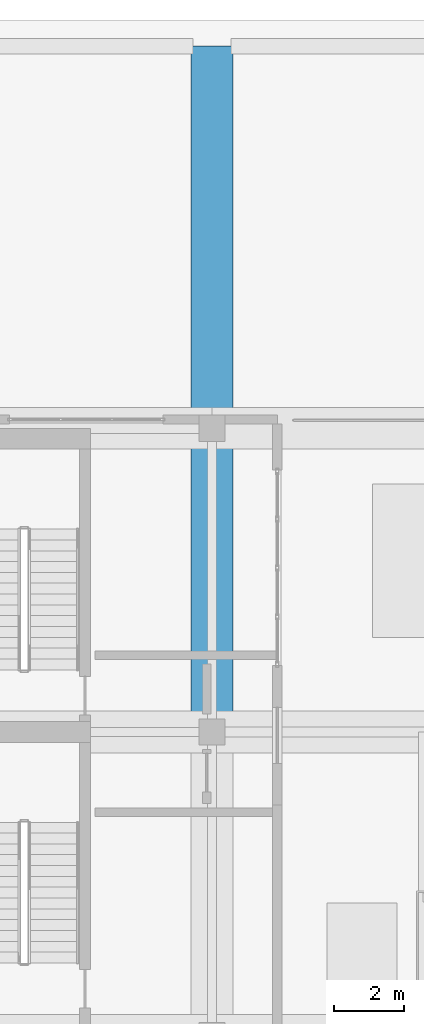
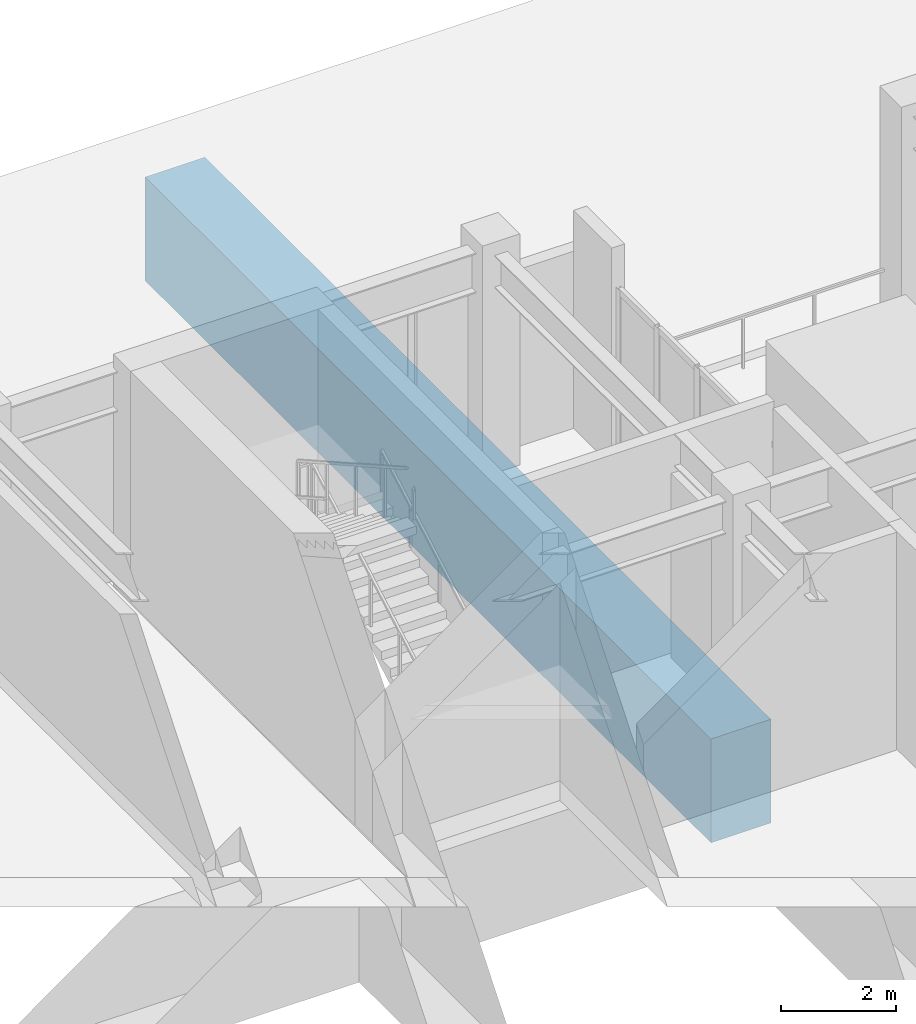
# One storey, part 10 of 16: 1 beam.
"""IFC4 building model written with IfcOpenShell, lengths in metres."""

import ifcopenshell
import ifcopenshell.guid

model = None  # the IFC model being written
_history = None  # IfcOwnerHistory: only IFC2X3 demands one
_inside = {}  # id of a spatial element -> (the spatial element, [elements in it])
_under = {}  # id of a project, library or spatial element -> (it, [spatial elements below it])
_declared = {}  # id of a project -> (the project, [libraries it declares])
_typed = {}  # id of a type object -> (the type object, [elements of that type])
_made_of = {}  # id of a material, layer set ... -> (it, [elements and type objects made of it])


def new_model(schema):
    """Start an empty IFC model of exactly this schema.

    Asked for "IFC4X3", IfcOpenShell would pick the latest addendum, in which some entities
    have other attributes; the version numbers below select the first issue.
    IFC2X3 requires an IfcOwnerHistory on every rooted entity: one is made here for all.
    """
    global model, _history
    if schema == "IFC4X3":
        model = ifcopenshell.file(schema_version=(4, 3, 0, 0))
    else:
        model = ifcopenshell.file(schema=schema)
    _inside.clear()
    _under.clear()
    _declared.clear()
    _typed.clear()
    _made_of.clear()
    _history = None
    if model.schema == "IFC2X3":
        org = make("IfcOrganization", Name="unknown")
        user = make(
            "IfcPersonAndOrganization",
            ThePerson=make("IfcPerson", FamilyName="unknown"),
            TheOrganization=org,
        )
        app = make(
            "IfcApplication",
            ApplicationDeveloper=org,
            Version="unknown",
            ApplicationFullName="unknown",
            ApplicationIdentifier="unknown",
        )
        _history = make(
            "IfcOwnerHistory",
            OwningUser=user,
            OwningApplication=app,
            ChangeAction="ADDED",
            CreationDate=0,
        )
    return model


def make(cls, **values):
    """One entity of the class cls with the attributes given. An attribute that is None is left unset."""
    return model.create_entity(
        cls, **{name: value for name, value in values.items() if value is not None}
    )


def rooted(cls, **values):
    """An entity with a GlobalId (a new one), such as an element, a storey or a relation."""
    return make(cls, GlobalId=ifcopenshell.guid.new(), OwnerHistory=_history, **values)


def si_unit(unit_type, name, prefix=None):
    """IfcSIUnit, for example si_unit("LENGTHUNIT", "METRE", prefix="MILLI")."""
    return make("IfcSIUnit", UnitType=unit_type, Prefix=prefix, Name=name)


def assignment(units):
    """IfcUnitAssignment: the units of a project."""
    return None if units is None else make("IfcUnitAssignment", Units=units)


def point(xyz):
    """IfcCartesianPoint."""
    return None if xyz is None else make("IfcCartesianPoint", Coordinates=xyz)


def direction(xyz):
    """IfcDirection."""
    return None if xyz is None else make("IfcDirection", DirectionRatios=xyz)


def frame(location, z_axis=None, x_axis=None):
    """IfcAxis2Placement3D, a coordinate frame: its origin and axes. An axis left out is left unset."""
    return make(
        "IfcAxis2Placement3D",
        Location=point(location),
        Axis=direction(z_axis),
        RefDirection=direction(x_axis),
    )


def frame_2d(location, x_axis=None):
    """IfcAxis2Placement2D, a coordinate frame in the plane: its origin and x axis."""
    return make(
        "IfcAxis2Placement2D", Location=point(location), RefDirection=direction(x_axis)
    )


def origin():
    """The frame at (0, 0, 0) with its axes left unset."""
    return frame((0.0, 0.0, 0.0))


def origin_2d():
    """The frame at (0, 0) in the plane with its x axis left unset."""
    return frame_2d((0.0, 0.0))


def place(relative_to, where):
    """IfcLocalPlacement: puts the frame where relative to a parent placement (None: the world)."""
    return make(
        "IfcLocalPlacement", PlacementRelTo=relative_to, RelativePlacement=where
    )


def context(
    kind, dimensions, precision=None, world=None, true_north=None, identifier=None
):
    """IfcGeometricRepresentationContext, for example the 3D "Model" context."""
    return make(
        "IfcGeometricRepresentationContext",
        ContextIdentifier=identifier,
        ContextType=kind,
        CoordinateSpaceDimension=dimensions,
        Precision=precision,
        WorldCoordinateSystem=world,
        TrueNorth=true_north,
    )


def subcontext(parent, identifier, kind, view, scale=None):
    """IfcGeometricRepresentationSubContext, for example "Body" below "Model"."""
    return make(
        "IfcGeometricRepresentationSubContext",
        ContextIdentifier=identifier,
        ContextType=kind,
        ParentContext=parent,
        TargetScale=scale,
        TargetView=view,
    )


def project(units=None, contexts=None):
    """IfcProject with its units and contexts."""
    return rooted(
        "IfcProject",
        Name="project",
        RepresentationContexts=contexts,
        UnitsInContext=assignment(units),
    )


def spatial(cls, under=None, at=None, **own):
    """A site, building, storey or space (cls), placed at a placement, below another one or the project."""
    s = rooted(cls, ObjectPlacement=at, **own)
    if under is not None:
        _under.setdefault(under.id(), (under, []))[1].append(s)
    return s


def profile(cls, at=None, kind="AREA", **sizes):
    """A parametric profile (cls). Its sizes go by their IFC names, for example OverallWidth=200.0."""
    return make(cls, ProfileType=kind, Position=at, **sizes)


def rectangle(**sizes):
    """IfcRectangleProfileDef."""
    return profile("IfcRectangleProfileDef", **sizes)


def extrude(swept, where, along, depth):
    """IfcExtrudedAreaSolid: the profile swept, set in the frame where, extruded along a direction by depth."""
    return make(
        "IfcExtrudedAreaSolid",
        SweptArea=swept,
        Position=where,
        ExtrudedDirection=direction(along),
        Depth=depth,
    )


def shape(context_of_items, identifier, shape_type, items):
    """IfcShapeRepresentation: the items that make up one representation, for example the "Body"."""
    return make(
        "IfcShapeRepresentation",
        ContextOfItems=context_of_items,
        RepresentationIdentifier=identifier,
        RepresentationType=shape_type,
        Items=items,
    )


def material(Name=None, Category=None):
    """IfcMaterial."""
    return make("IfcMaterial", Name=Name, Category=Category)


def material_profile(
    of_material, cross_section, Name=None, Category=None, Priority=None
):
    """IfcMaterialProfile: a cross section and its material."""
    return make(
        "IfcMaterialProfile",
        Name=Name,
        Material=of_material,
        Profile=cross_section,
        Priority=Priority,
        Category=Category,
    )


def profile_set(profiles, Name=None, composite=None):
    """IfcMaterialProfileSet."""
    return make(
        "IfcMaterialProfileSet",
        Name=Name,
        MaterialProfiles=profiles,
        CompositeProfile=composite,
    )


def made_of(thing, what):
    """Note that an element or type object is made of a material, layer set ...; save() writes the relation."""
    if what is not None:
        _made_of.setdefault(what.id(), (what, []))[1].append(thing)
    return thing


def type_object(cls, material=None, **own):
    """A type object (cls), such as IfcWallType, which elements share."""
    return made_of(rooted(cls, **own), material)


def element(
    cls,
    number,
    at=None,
    inside=None,
    cuts=None,
    type_object=None,
    material=None,
    context=None,
    identifier="Body",
    shape_type=None,
    held_by="IfcProductDefinitionShape",
    body=None,
    shapes=None,
    **own,
):
    """One element of the class cls, such as IfcWall. Its Tag is "e" and its number.

    at: its placement. inside: the storey or other place that contains it. cuts: it is an
    opening in that element (IfcRelVoidsElement). A single representation is given by context,
    identifier, shape_type and body (its items); several are given by shapes. held_by: the class
    of the entity that holds the representations. save() writes the other relations.
    """
    e = rooted(cls, Tag="e%d" % number, ObjectPlacement=at, **own)
    if body is not None:
        shapes = [shape(context, identifier, shape_type, body)]
    if shapes is not None:
        e.Representation = make(held_by, Representations=shapes)
    if inside is not None:
        _inside.setdefault(inside.id(), (inside, []))[1].append(e)
    if cuts is not None:
        rooted(
            "IfcRelVoidsElement", RelatingBuildingElement=cuts, RelatedOpeningElement=e
        )
    if type_object is not None:
        _typed.setdefault(type_object.id(), (type_object, []))[1].append(e)
    return made_of(e, material)


def aggregate(whole, parts):
    """IfcRelAggregates: a whole, such as a stair, and the parts it consists of."""
    return rooted("IfcRelAggregates", RelatingObject=whole, RelatedObjects=parts)


def save(model, path):
    """Write the relations noted so far, then the file.

    IfcRelAggregates (storeys below a building ...), IfcRelContainedInSpatialStructure (elements
    in a storey), IfcRelDefinesByType, IfcRelAssociatesMaterial and IfcRelDeclares: one each for
    every whole, place, type object, material and project.
    """
    for whole, parts in _under.values():
        aggregate(whole, parts)
    for where, things in _inside.values():
        rooted(
            "IfcRelContainedInSpatialStructure",
            RelatedElements=things,
            RelatingStructure=where,
        )
    for kind, things in _typed.values():
        rooted("IfcRelDefinesByType", RelatedObjects=things, RelatingType=kind)
    for what, things in _made_of.values():
        rooted("IfcRelAssociatesMaterial", RelatedObjects=things, RelatingMaterial=what)
    for by, libraries in _declared.values():
        rooted("IfcRelDeclares", RelatingContext=by, RelatedDefinitions=libraries)
    model.write(path)


model = new_model("IFC4")

# Units and contexts
model_context = context("Model", 3, precision=1e-05, world=origin(), true_north=direction((0.0, 1.0)))
body_context = subcontext(model_context, "Body", "Model", "MODEL_VIEW")
ifc_project = project(units=[si_unit("LENGTHUNIT", "METRE"), si_unit("AREAUNIT", "SQUARE_METRE"), si_unit("VOLUMEUNIT", "CUBIC_METRE"), si_unit("PLANEANGLEUNIT", "RADIAN"), si_unit("MASSUNIT", "GRAM", prefix="KILO")], contexts=[model_context])

# Site, building, storey
site_placement = place(None, origin())
site = spatial("IfcSite", under=ifc_project, at=site_placement, CompositionType="ELEMENT")
building_placement = place(site_placement, origin())
building = spatial("IfcBuilding", under=site, at=building_placement, Name="Solanera Arch Residences", CompositionType="ELEMENT")
storey_placement = place(building_placement, frame((0.0, 0.0, 278.080078125)))
storey = spatial("IfcBuildingStorey", under=building, at=storey_placement, Name="L80", CompositionType="ELEMENT", Elevation=278.080078125)

# Beam
ifc_material = material(Name="Concrete C55/67 (f'c = 60 MPa)", Category="concrete")
ifc_material_profile = material_profile(ifc_material, rectangle(XDim=1.199951171875, YDim=2.199951171875, at=origin_2d()))
ifc_profile_set = profile_set([ifc_material_profile], Name="Concrete C55/67 (f'c = 60 MPa)")
beam_type = type_object("IfcBeamType", Name="Transfer Girder RC-BM-1200X2200", PredefinedType="BEAM", material=ifc_profile_set)
beam_placement = place(storey_placement, frame((20.800048828125, 30.699951171875, -1.52001953125), z_axis=(0.0, 1.0, 0.0), x_axis=(-1.0, 0.0, 0.0)))
element("IfcBeam", 1, at=beam_placement, inside=storey, type_object=beam_type, Name="BM-L80-CRX-NSN-208", PredefinedType="BEAM", context=body_context, shape_type="SweptSolid", body=[
    extrude(rectangle(XDim=1.199951171875, YDim=2.199951171875, at=origin_2d()), origin(), (0.0, 0.0, 1.0), 19.650146484375),
])

save(model, "model.ifc")
